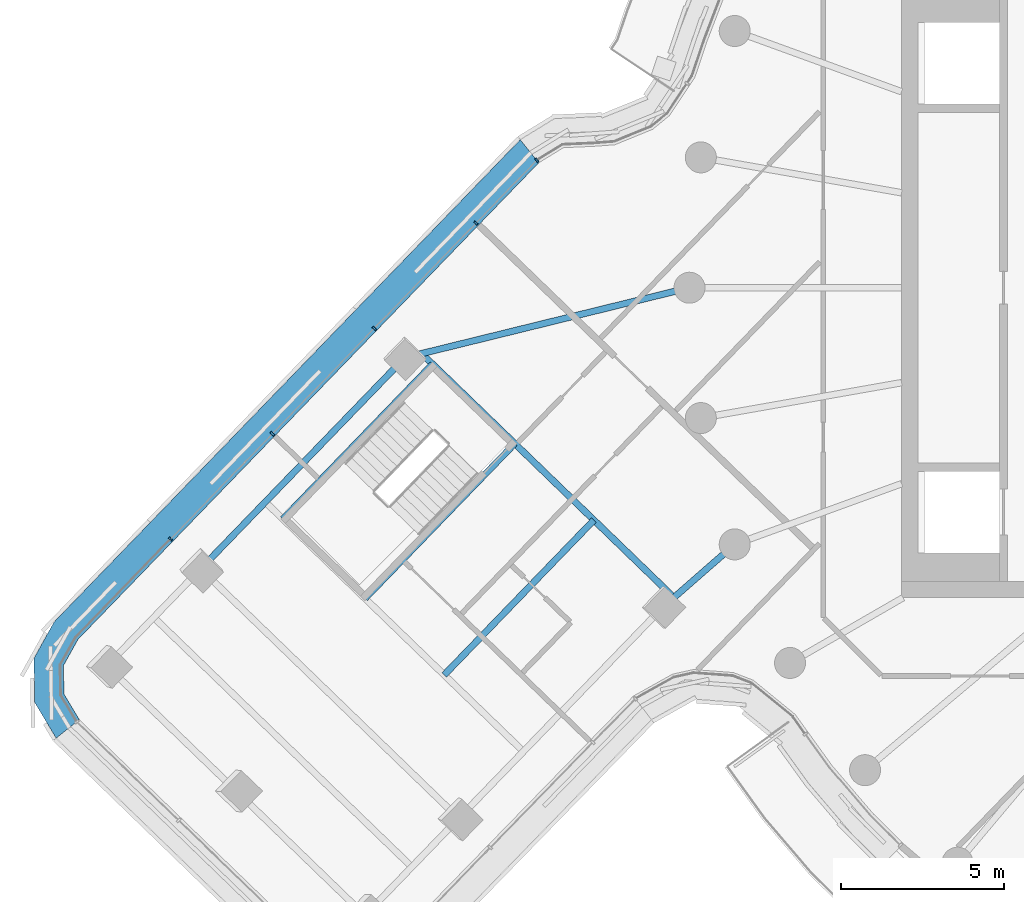
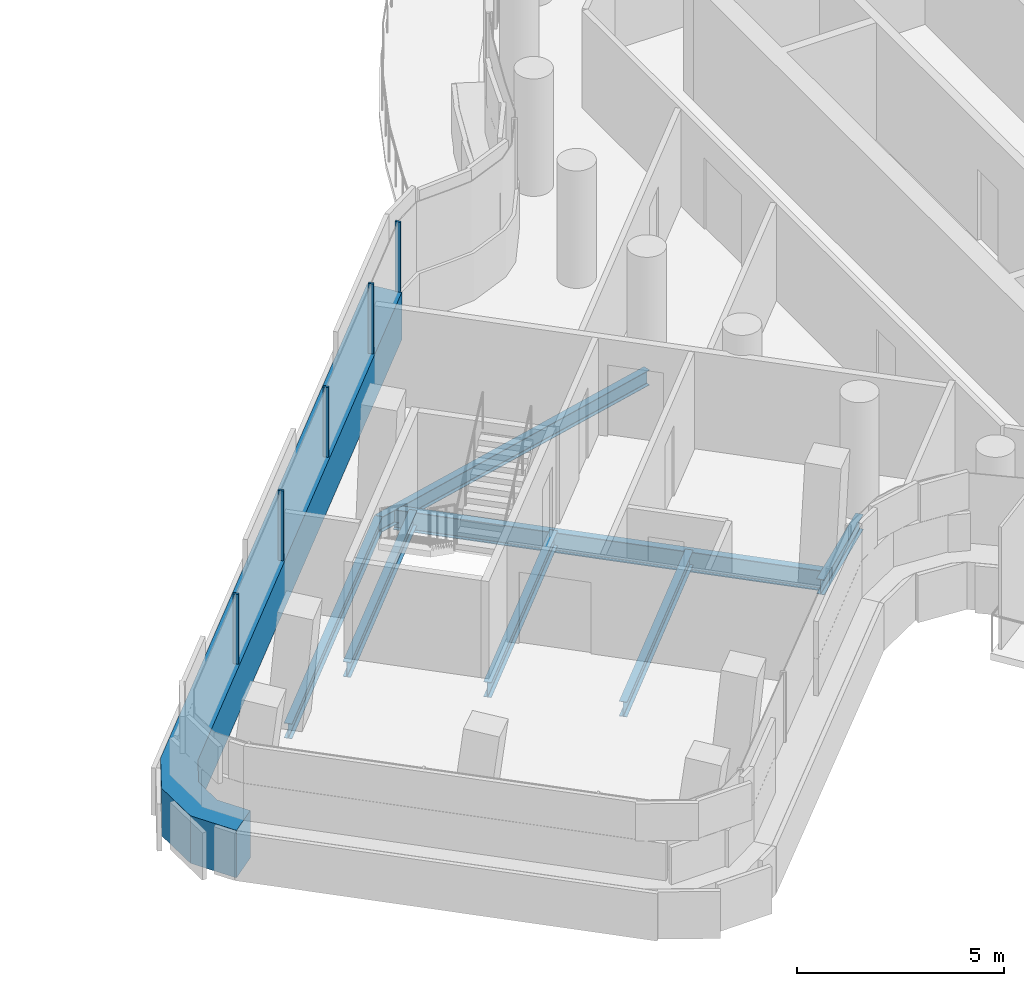
# One storey, part 8 of 31: 7 beams, 6 members, 1 element without a shape of its own.
"""IFC4 building model written with IfcOpenShell, lengths in metres."""

import ifcopenshell
import ifcopenshell.guid

model = None  # the IFC model being written
_history = None  # IfcOwnerHistory: only IFC2X3 demands one
_inside = {}  # id of a spatial element -> (the spatial element, [elements in it])
_under = {}  # id of a project, library or spatial element -> (it, [spatial elements below it])
_declared = {}  # id of a project -> (the project, [libraries it declares])
_typed = {}  # id of a type object -> (the type object, [elements of that type])
_made_of = {}  # id of a material, layer set ... -> (it, [elements and type objects made of it])


def new_model(schema):
    """Start an empty IFC model of exactly this schema.

    Asked for "IFC4X3", IfcOpenShell would pick the latest addendum, in which some entities
    have other attributes; the version numbers below select the first issue.
    IFC2X3 requires an IfcOwnerHistory on every rooted entity: one is made here for all.
    """
    global model, _history
    if schema == "IFC4X3":
        model = ifcopenshell.file(schema_version=(4, 3, 0, 0))
    else:
        model = ifcopenshell.file(schema=schema)
    _inside.clear()
    _under.clear()
    _declared.clear()
    _typed.clear()
    _made_of.clear()
    _history = None
    if model.schema == "IFC2X3":
        org = make("IfcOrganization", Name="unknown")
        user = make(
            "IfcPersonAndOrganization",
            ThePerson=make("IfcPerson", FamilyName="unknown"),
            TheOrganization=org,
        )
        app = make(
            "IfcApplication",
            ApplicationDeveloper=org,
            Version="unknown",
            ApplicationFullName="unknown",
            ApplicationIdentifier="unknown",
        )
        _history = make(
            "IfcOwnerHistory",
            OwningUser=user,
            OwningApplication=app,
            ChangeAction="ADDED",
            CreationDate=0,
        )
    return model


def make(cls, **values):
    """One entity of the class cls with the attributes given. An attribute that is None is left unset."""
    return model.create_entity(
        cls, **{name: value for name, value in values.items() if value is not None}
    )


def rooted(cls, **values):
    """An entity with a GlobalId (a new one), such as an element, a storey or a relation."""
    return make(cls, GlobalId=ifcopenshell.guid.new(), OwnerHistory=_history, **values)


def si_unit(unit_type, name, prefix=None):
    """IfcSIUnit, for example si_unit("LENGTHUNIT", "METRE", prefix="MILLI")."""
    return make("IfcSIUnit", UnitType=unit_type, Prefix=prefix, Name=name)


def assignment(units):
    """IfcUnitAssignment: the units of a project."""
    return None if units is None else make("IfcUnitAssignment", Units=units)


def point(xyz):
    """IfcCartesianPoint."""
    return None if xyz is None else make("IfcCartesianPoint", Coordinates=xyz)


def direction(xyz):
    """IfcDirection."""
    return None if xyz is None else make("IfcDirection", DirectionRatios=xyz)


def frame(location, z_axis=None, x_axis=None):
    """IfcAxis2Placement3D, a coordinate frame: its origin and axes. An axis left out is left unset."""
    return make(
        "IfcAxis2Placement3D",
        Location=point(location),
        Axis=direction(z_axis),
        RefDirection=direction(x_axis),
    )


def frame_2d(location, x_axis=None):
    """IfcAxis2Placement2D, a coordinate frame in the plane: its origin and x axis."""
    return make(
        "IfcAxis2Placement2D", Location=point(location), RefDirection=direction(x_axis)
    )


def origin():
    """The frame at (0, 0, 0) with its axes left unset."""
    return frame((0.0, 0.0, 0.0))


def origin_2d():
    """The frame at (0, 0) in the plane with its x axis left unset."""
    return frame_2d((0.0, 0.0))


def place(relative_to, where):
    """IfcLocalPlacement: puts the frame where relative to a parent placement (None: the world)."""
    return make(
        "IfcLocalPlacement", PlacementRelTo=relative_to, RelativePlacement=where
    )


def context(
    kind, dimensions, precision=None, world=None, true_north=None, identifier=None
):
    """IfcGeometricRepresentationContext, for example the 3D "Model" context."""
    return make(
        "IfcGeometricRepresentationContext",
        ContextIdentifier=identifier,
        ContextType=kind,
        CoordinateSpaceDimension=dimensions,
        Precision=precision,
        WorldCoordinateSystem=world,
        TrueNorth=true_north,
    )


def subcontext(parent, identifier, kind, view, scale=None):
    """IfcGeometricRepresentationSubContext, for example "Body" below "Model"."""
    return make(
        "IfcGeometricRepresentationSubContext",
        ContextIdentifier=identifier,
        ContextType=kind,
        ParentContext=parent,
        TargetScale=scale,
        TargetView=view,
    )


def project(units=None, contexts=None):
    """IfcProject with its units and contexts."""
    return rooted(
        "IfcProject",
        Name="project",
        RepresentationContexts=contexts,
        UnitsInContext=assignment(units),
    )


def spatial(cls, under=None, at=None, **own):
    """A site, building, storey or space (cls), placed at a placement, below another one or the project."""
    s = rooted(cls, ObjectPlacement=at, **own)
    if under is not None:
        _under.setdefault(under.id(), (under, []))[1].append(s)
    return s


def polyline(points):
    """IfcPolyline through the points."""
    return make("IfcPolyline", Points=[point(p) for p in points])


def profile(cls, at=None, kind="AREA", **sizes):
    """A parametric profile (cls). Its sizes go by their IFC names, for example OverallWidth=200.0."""
    return make(cls, ProfileType=kind, Position=at, **sizes)


def rectangle(**sizes):
    """IfcRectangleProfileDef."""
    return profile("IfcRectangleProfileDef", **sizes)


def i_section(**sizes):
    """IfcIShapeProfileDef."""
    return profile("IfcIShapeProfileDef", **sizes)


def outline(outer, holes=None, kind="AREA"):
    """IfcArbitraryClosedProfileDef: a profile drawn as a closed curve; with holes, ...WithVoids."""
    if holes is None:
        return make("IfcArbitraryClosedProfileDef", ProfileType=kind, OuterCurve=outer)
    return make(
        "IfcArbitraryProfileDefWithVoids",
        ProfileType=kind,
        OuterCurve=outer,
        InnerCurves=holes,
    )


def extrude(swept, where, along, depth):
    """IfcExtrudedAreaSolid: the profile swept, set in the frame where, extruded along a direction by depth."""
    return make(
        "IfcExtrudedAreaSolid",
        SweptArea=swept,
        Position=where,
        ExtrudedDirection=direction(along),
        Depth=depth,
    )


def shape(context_of_items, identifier, shape_type, items):
    """IfcShapeRepresentation: the items that make up one representation, for example the "Body"."""
    return make(
        "IfcShapeRepresentation",
        ContextOfItems=context_of_items,
        RepresentationIdentifier=identifier,
        RepresentationType=shape_type,
        Items=items,
    )


def material(Name=None, Category=None):
    """IfcMaterial."""
    return make("IfcMaterial", Name=Name, Category=Category)


def layer(
    of_material, thickness, ventilated=None, Name=None, Category=None, Priority=None
):
    """IfcMaterialLayer: one layer of a wall or slab, of a material (None: an air gap)."""
    return make(
        "IfcMaterialLayer",
        Material=of_material,
        LayerThickness=thickness,
        IsVentilated=ventilated,
        Name=Name,
        Category=Category,
        Priority=Priority,
    )


def layer_set(layers, Name=None):
    """IfcMaterialLayerSet."""
    return make("IfcMaterialLayerSet", MaterialLayers=layers, LayerSetName=Name)


def material_profile(
    of_material, cross_section, Name=None, Category=None, Priority=None
):
    """IfcMaterialProfile: a cross section and its material."""
    return make(
        "IfcMaterialProfile",
        Name=Name,
        Material=of_material,
        Profile=cross_section,
        Priority=Priority,
        Category=Category,
    )


def profile_set(profiles, Name=None, composite=None):
    """IfcMaterialProfileSet."""
    return make(
        "IfcMaterialProfileSet",
        Name=Name,
        MaterialProfiles=profiles,
        CompositeProfile=composite,
    )


def made_of(thing, what):
    """Note that an element or type object is made of a material, layer set ...; save() writes the relation."""
    if what is not None:
        _made_of.setdefault(what.id(), (what, []))[1].append(thing)
    return thing


def type_object(cls, material=None, **own):
    """A type object (cls), such as IfcWallType, which elements share."""
    return made_of(rooted(cls, **own), material)


def element(
    cls,
    number,
    at=None,
    inside=None,
    cuts=None,
    type_object=None,
    material=None,
    context=None,
    identifier="Body",
    shape_type=None,
    held_by="IfcProductDefinitionShape",
    body=None,
    shapes=None,
    **own,
):
    """One element of the class cls, such as IfcWall. Its Tag is "e" and its number.

    at: its placement. inside: the storey or other place that contains it. cuts: it is an
    opening in that element (IfcRelVoidsElement). A single representation is given by context,
    identifier, shape_type and body (its items); several are given by shapes. held_by: the class
    of the entity that holds the representations. save() writes the other relations.
    """
    e = rooted(cls, Tag="e%d" % number, ObjectPlacement=at, **own)
    if body is not None:
        shapes = [shape(context, identifier, shape_type, body)]
    if shapes is not None:
        e.Representation = make(held_by, Representations=shapes)
    if inside is not None:
        _inside.setdefault(inside.id(), (inside, []))[1].append(e)
    if cuts is not None:
        rooted(
            "IfcRelVoidsElement", RelatingBuildingElement=cuts, RelatedOpeningElement=e
        )
    if type_object is not None:
        _typed.setdefault(type_object.id(), (type_object, []))[1].append(e)
    return made_of(e, material)


def aggregate(whole, parts):
    """IfcRelAggregates: a whole, such as a stair, and the parts it consists of."""
    return rooted("IfcRelAggregates", RelatingObject=whole, RelatedObjects=parts)


def save(model, path):
    """Write the relations noted so far, then the file.

    IfcRelAggregates (storeys below a building ...), IfcRelContainedInSpatialStructure (elements
    in a storey), IfcRelDefinesByType, IfcRelAssociatesMaterial and IfcRelDeclares: one each for
    every whole, place, type object, material and project.
    """
    for whole, parts in _under.values():
        aggregate(whole, parts)
    for where, things in _inside.values():
        rooted(
            "IfcRelContainedInSpatialStructure",
            RelatedElements=things,
            RelatingStructure=where,
        )
    for kind, things in _typed.values():
        rooted("IfcRelDefinesByType", RelatedObjects=things, RelatingType=kind)
    for what, things in _made_of.values():
        rooted("IfcRelAssociatesMaterial", RelatedObjects=things, RelatingMaterial=what)
    for by, libraries in _declared.values():
        rooted("IfcRelDeclares", RelatingContext=by, RelatedDefinitions=libraries)
    model.write(path)


model = new_model("IFC4")

# Units and contexts
model_context = context("Model", 3, precision=1e-05, world=origin(), true_north=direction((0.0, 1.0)))
body_context = subcontext(model_context, "Body", "Model", "MODEL_VIEW")
ifc_project = project(units=[si_unit("LENGTHUNIT", "METRE"), si_unit("AREAUNIT", "SQUARE_METRE"), si_unit("VOLUMEUNIT", "CUBIC_METRE"), si_unit("PLANEANGLEUNIT", "RADIAN"), si_unit("MASSUNIT", "GRAM", prefix="KILO")], contexts=[model_context])

# Site, building, storey
site_placement = place(None, origin())
site = spatial("IfcSite", under=ifc_project, at=site_placement, CompositionType="ELEMENT")
building_placement = place(site_placement, origin())
building = spatial("IfcBuilding", under=site, at=building_placement, Name="Tamarind Cross Interchange Tower", CompositionType="ELEMENT")
storey_placement = place(building_placement, frame((0.0, 0.0, 200.5)))
storey = spatial("IfcBuildingStorey", under=building, at=storey_placement, Name="L50", CompositionType="ELEMENT", Elevation=200.5)

# Beams
ifc_material_1 = material(Name="Steel Q355B", Category="steel")
ifc_material_profile_1 = material_profile(ifc_material_1, i_section(OverallWidth=0.198974609375, OverallDepth=0.446044921875, WebThickness=0.008056640625, FlangeThickness=0.011962890625, FilletRadius=0.012939453125, at=origin_2d()), Name="HN 446x199x8x12")
ifc_profile_set_1 = profile_set([ifc_material_profile_1], Name="Steel Q355B")
beam_type_1 = type_object("IfcBeamType", Name="Composite beam HN 446x199x8x12 Q355B", PredefinedType="BEAM", material=ifc_profile_set_1)
beam_1_placement = place(storey_placement, frame((-37.978271484375, -8.615966796875, -0.363037109375), z_axis=(0.695015085299, 0.718995153813, 0.0), x_axis=(-0.718995153813, 0.695015085299, 0.0)))
element("IfcBeam", 1, at=beam_1_placement, inside=storey, type_object=beam_type_1, Name="Beam W-edgeem6", PredefinedType="BEAM", context=body_context, shape_type="SweptSolid", body=[
    extrude(i_section(OverallWidth=0.198974609375, OverallDepth=0.446044921875, WebThickness=0.008056640625, FlangeThickness=0.011962890625, FilletRadius=0.012939453125, at=origin_2d()), origin(), (0.0, 0.0, 1.0), 9.0),
])
beam_2_placement = place(storey_placement, frame((-31.72314453125, -2.14501953125, -0.363037109375), z_axis=(0.971072106352, 0.238786440706, 0.0), x_axis=(-0.238786440706, 0.971072106352, 0.0)))
element("IfcBeam", 2, at=beam_2_placement, inside=storey, type_object=beam_type_1, Name="Beam W-linkem", PredefinedType="BEAM", context=body_context, shape_type="SweptSolid", body=[
    extrude(i_section(OverallWidth=0.198974609375, OverallDepth=0.446044921875, WebThickness=0.008056640625, FlangeThickness=0.011962890625, FilletRadius=0.012939453125, at=origin_2d()), origin(), (0.0, 0.0, 1.0), 8.98291015625),
])
beam_3_placement = place(storey_placement, frame((-23.814208984375, -9.790283203125, -0.363037109375), z_axis=(0.752949055018, 0.658078810286, 0.0), x_axis=(-0.658078810286, 0.752949055018, 0.0)))
element("IfcBeam", 3, at=beam_3_placement, inside=storey, type_object=beam_type_1, Name="Beam W-linkep", PredefinedType="BEAM", context=body_context, shape_type="SweptSolid", body=[
    extrude(i_section(OverallWidth=0.198974609375, OverallDepth=0.446044921875, WebThickness=0.008056640625, FlangeThickness=0.011962890625, FilletRadius=0.012939453125, at=origin_2d()), origin(), (0.0, 0.0, 1.0), 2.92333984375),
])
for number, where, z_axis, x_axis, name in (
    (4, (-30.87109375, -2.3427734375, -0.363037109375), (-0.695020184627, -0.718990224524, 0.0), (0.718990224524, -0.695020184627, 0.0), "Beam W-tr0"),
    (5, (-28.354736328125, -4.775390625, -0.363037109375), (-0.695020184627, -0.718990224524, 0.0), (0.718990224524, -0.695020184627, 0.0), "Beam W-tr1"),
):
    element("IfcBeam", number, at=place(storey_placement, frame(where, z_axis=z_axis, x_axis=x_axis)), inside=storey, type_object=beam_type_1, Name=name, PredefinedType="BEAM", context=body_context, shape_type="SweptSolid", body=[
        extrude(i_section(OverallWidth=0.198974609375, OverallDepth=0.446044921875, WebThickness=0.008056640625, FlangeThickness=0.011962890625, FilletRadius=0.012939453125, at=origin_2d()), origin(), (0.0, 0.0, 1.0), 6.60009765625),
    ])
beam_4_placement = place(storey_placement, frame((-25.927978515625, -7.12109375, -0.363037109375), z_axis=(-0.695038669663, -0.718972355291, 0.0), x_axis=(0.718972355291, -0.695038669663, 0.0)))
element("IfcBeam", 6, at=beam_4_placement, inside=storey, type_object=beam_type_1, Name="Beam W-stripp", PredefinedType="BEAM", context=body_context, shape_type="SweptSolid", body=[
    extrude(i_section(OverallWidth=0.198974609375, OverallDepth=0.446044921875, WebThickness=0.008056640625, FlangeThickness=0.011962890625, FilletRadius=0.012939453125, at=origin_2d()), origin(), (0.0, 0.0, 1.0), 6.599853515625),
])
ifc_material_profile_2 = material_profile(ifc_material_1, i_section(OverallWidth=0.198974609375, OverallDepth=0.595947265625, WebThickness=0.010009765625, FlangeThickness=0.014892578125, FilletRadius=0.012939453125, at=origin_2d()), Name="HN 596x199x10x15")
ifc_profile_set_2 = profile_set([ifc_material_profile_2], Name="Steel Q355B")
beam_type_2 = type_object("IfcBeamType", Name="Composite beam HN 596x199x10x15 Q355B", PredefinedType="BEAM", material=ifc_profile_set_2)
beam_5_placement = place(storey_placement, frame((-31.20703125, -2.01806640625, -0.43798828125), z_axis=(0.718990644713, -0.695019749947, 0.0), x_axis=(0.695019749947, 0.718990644713, 0.0)))
element("IfcBeam", 7, at=beam_5_placement, inside=storey, type_object=beam_type_2, Name="Beam W-x298", PredefinedType="BEAM", context=body_context, shape_type="SweptSolid", body=[
    extrude(i_section(OverallWidth=0.198974609375, OverallDepth=0.595947265625, WebThickness=0.010009765625, FlangeThickness=0.014892578125, FilletRadius=0.012939453125, at=origin_2d()), origin(), (0.0, 0.0, 1.0), 10.755126953125),
])

# Curtain wall, members
ifc_material_2 = material(Name="Aluminium 6063-T6", Category="aluminium")
ifc_layer = layer(ifc_material_2, 0.139892578125)
ifc_layer_set = layer_set([ifc_layer], Name="Aluminium 6063-T6")
curtain_wall_type = type_object("IfcCurtainWallType", Name="Hotel curtain wall, 4.5 m bays", PredefinedType="NOTDEFINED", material=ifc_layer_set)
curtain_wall_placement = place(storey_placement, origin())
curtain_wall = element("IfcCurtainWall", 8, at=curtain_wall_placement, inside=storey, type_object=curtain_wall_type, Name="CWS-L50-11", PredefinedType="NOTDEFINED")
ifc_material_3 = material(Name="Aluminium and insulated spandrel panel", Category="aluminium")
member_type_1 = type_object("IfcMemberType", Name="Floor-edge blade transom", PredefinedType="USERDEFINED", material=ifc_material_3)
member_1_placement = place(storey_placement, origin())
member_1 = element("IfcMember", 9, at=member_1_placement, type_object=member_type_1, Name="CWT-L50-11", ObjectType="TRANSOM", PredefinedType="USERDEFINED", context=body_context, shape_type="SweptSolid", body=[
    extrude(outline(polyline([(-27.617431640625, 3.828857421875), (-41.73828125, -10.779052734375), (-42.1826171875, -11.57958984375), (-42.167724609375, -12.453857421875), (-41.69677734375, -13.23876953125), (-42.407470703125, -13.803466796875), (-43.0634765625, -12.710205078125), (-43.08642578125, -11.353759765625), (-42.4677734375, -10.23876953125), (-28.18505859375, 4.536376953125), (-27.617431640625, 3.828857421875)])), origin(), (0.0, 0.0, 1.0), 1.39990234375),
])
ifc_material_profile_3 = material_profile(ifc_material_2, rectangle(XDim=0.06005859375, YDim=0.139892578125, at=origin_2d()), Name="Mullion CW2")
ifc_profile_set_3 = profile_set([ifc_material_profile_3], Name="Aluminium 6063-T6")
member_type_2 = type_object("IfcMemberType", Name="Mullion CW2", PredefinedType="MULLION", material=ifc_profile_set_3)
member_2_placement = place(storey_placement, frame((-27.6806640625, 3.907470703125, 1.39990234375), z_axis=(0.0, 0.0, 1.0), x_axis=(-0.780096678757, -0.62565899002, 0.0)))
member_2 = element("IfcMember", 10, at=member_2_placement, type_object=member_type_2, Name="CWM-L50-11-00", PredefinedType="MULLION", context=body_context, shape_type="SweptSolid", body=[
    extrude(rectangle(XDim=0.06005859375, YDim=0.139892578125, at=origin_2d()), origin(), (0.0, 0.0, 1.0), 2.06005859375),
])
member_3_placement = place(storey_placement, frame((-29.543212890625, 1.98046875, 1.39990234375), z_axis=(0.0, 0.0, 1.0), x_axis=(-0.695019862308, -0.718990536097, 0.0)))
member_3 = element("IfcMember", 11, at=member_3_placement, type_object=member_type_2, Name="CWM-L50-11-01", PredefinedType="MULLION", context=body_context, shape_type="SweptSolid", body=[
    extrude(rectangle(XDim=0.06005859375, YDim=0.139892578125, at=origin_2d()), origin(), (0.0, 0.0, 1.0), 2.06005859375),
])
member_4_placement = place(storey_placement, frame((-32.662841796875, -1.24658203125, 1.39990234375), z_axis=(0.0, 0.0, 1.0), x_axis=(-0.695019862308, -0.718990536097, 0.0)))
member_4 = element("IfcMember", 12, at=member_4_placement, type_object=member_type_2, Name="CWM-L50-11-02", PredefinedType="MULLION", context=body_context, shape_type="SweptSolid", body=[
    extrude(rectangle(XDim=0.06005859375, YDim=0.139892578125, at=origin_2d()), origin(), (0.0, 0.0, 1.0), 2.06005859375),
])
member_5_placement = place(storey_placement, frame((-35.782470703125, -4.473876953125, 1.39990234375), z_axis=(0.0, 0.0, 1.0), x_axis=(-0.695019862308, -0.718990536097, 0.0)))
member_5 = element("IfcMember", 13, at=member_5_placement, type_object=member_type_2, Name="CWM-L50-11-03", PredefinedType="MULLION", context=body_context, shape_type="SweptSolid", body=[
    extrude(rectangle(XDim=0.06005859375, YDim=0.139892578125, at=origin_2d()), origin(), (0.0, 0.0, 1.0), 2.06005859375),
])
member_6_placement = place(storey_placement, frame((-38.902099609375, -7.701171875, 1.39990234375), z_axis=(0.0, 0.0, 1.0), x_axis=(-0.695019862308, -0.718990536097, 0.0)))
member_6 = element("IfcMember", 14, at=member_6_placement, type_object=member_type_2, Name="CWM-L50-11-04", PredefinedType="MULLION", context=body_context, shape_type="SweptSolid", body=[
    extrude(rectangle(XDim=0.06005859375, YDim=0.139892578125, at=origin_2d()), origin(), (0.0, 0.0, 1.0), 2.06005859375),
])
aggregate(curtain_wall, [member_2, member_3, member_4, member_5, member_6, member_1])

save(model, "model.ifc")
